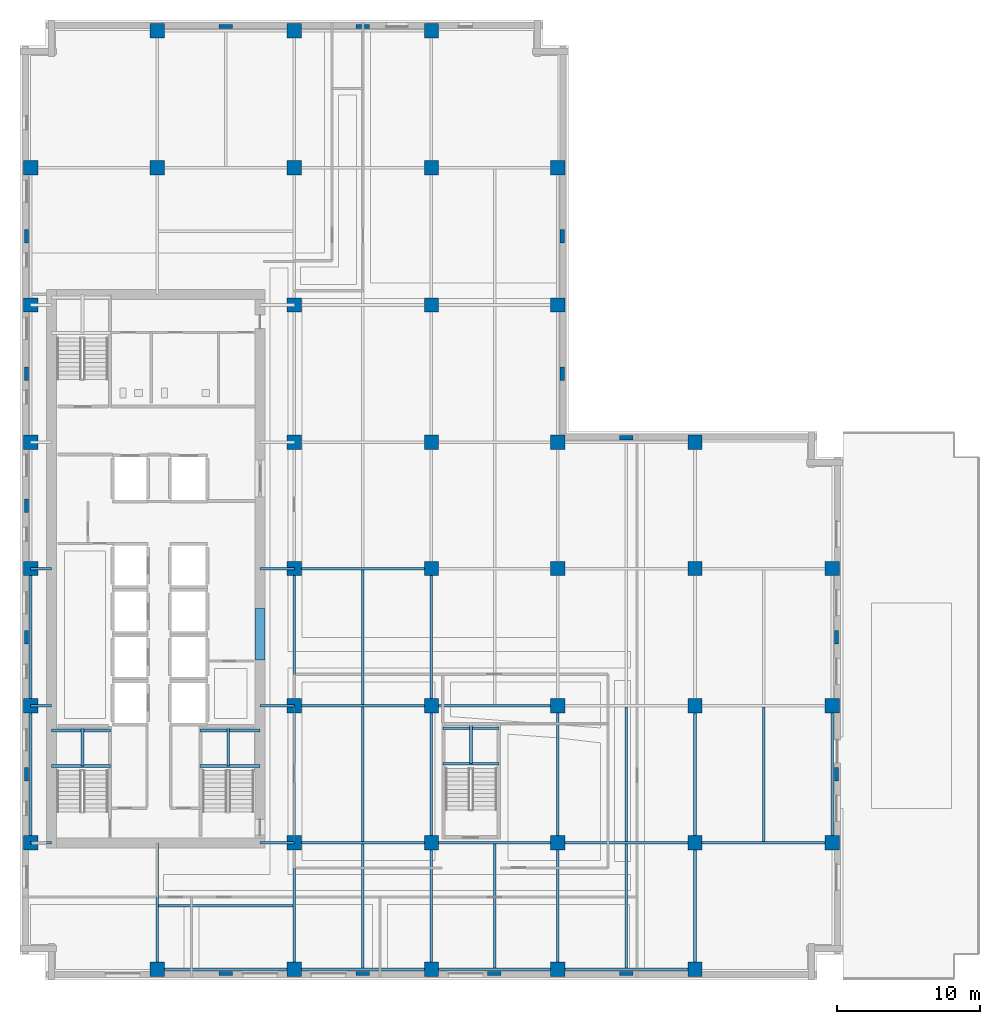
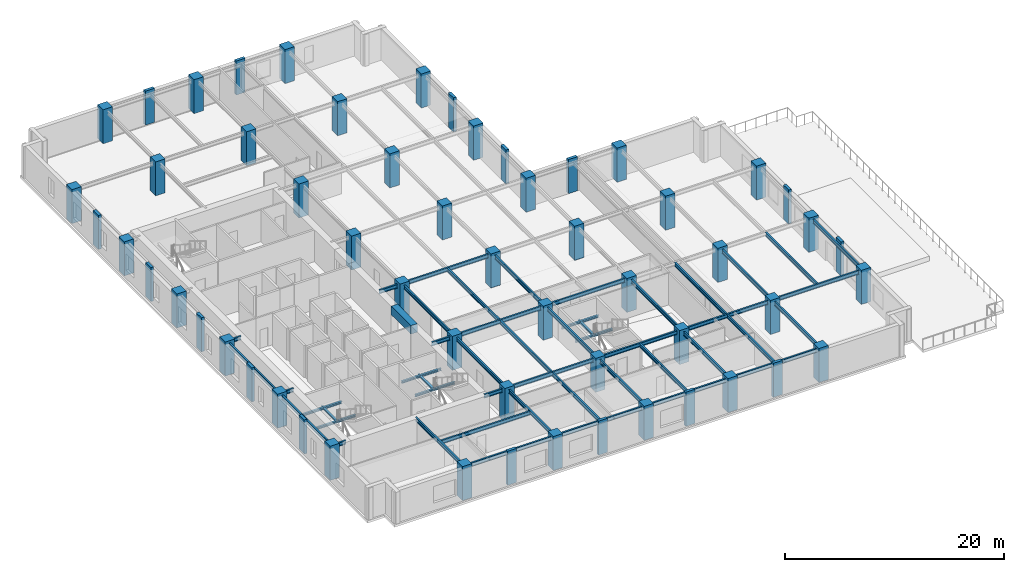
# One storey, part 1 of 12: 56 columns, 49 beams.
"""IFC4 building model written with IfcOpenShell, lengths in metres."""

from ifc_helpers import new_model, si_unit, direction, frame, origin, origin_2d, place, context, subcontext, project, spatial, rectangle, i_section, extrude, material, material_profile, profile_set, type_object, element, save


model = new_model("IFC4")

# Units and contexts
model_context = context("Model", 3, precision=1e-05, world=origin(), true_north=direction((0.0, 1.0)))
body_context = subcontext(model_context, "Body", "Model", "MODEL_VIEW")
ifc_project = project(units=[si_unit("LENGTHUNIT", "METRE"), si_unit("AREAUNIT", "SQUARE_METRE"), si_unit("VOLUMEUNIT", "CUBIC_METRE"), si_unit("PLANEANGLEUNIT", "RADIAN"), si_unit("MASSUNIT", "GRAM", prefix="KILO")], contexts=[model_context])

# Site, building, storey
site_placement = place(None, origin())
site = spatial("IfcSite", under=ifc_project, at=site_placement, CompositionType="ELEMENT")
building_placement = place(site_placement, origin())
building = spatial("IfcBuilding", under=site, at=building_placement, Name="Norrvale University Quadrangle", CompositionType="ELEMENT")
storey_placement = place(building_placement, frame((0.0, 0.0, 101.39990234375)))
storey = spatial("IfcBuildingStorey", under=building, at=storey_placement, Name="L25", CompositionType="ELEMENT", Elevation=101.39990234375)

# Columns
ifc_material_1 = material(Name="Red Manganese Brick Concrete C60/75", Category="concrete")
ifc_material_profile_1 = material_profile(ifc_material_1, rectangle(XDim=0.949951171875, YDim=0.300048828125, at=origin_2d()), Name="Red Manganese Brick Concrete C60/75")
ifc_profile_set_1 = profile_set([ifc_material_profile_1], Name="Red Manganese Brick Concrete C60/75")
column_type_1 = type_object("IfcColumnType", Name="Column Brick Pier 950x300", PredefinedType="PILASTER", material=ifc_profile_set_1)
for number, where, z_axis, x_axis, name in (
    (1, (0.449951171875, 14.39990234375, 0.0), (0.0, 0.0, 1.0), (0.0, 1.0, 0.0), "Exterior Brick Facade Pilaster L25-01"),
    (2, (0.449951171875, 24.0, 0.0), (0.0, 0.0, 1.0), (0.0, 1.0, 0.0), "Exterior Brick Facade Pilaster L25-02"),
    (3, (0.449951171875, 33.199951171875, 0.0), (0.0, 0.0, 1.0), (0.0, 1.0, 0.0), "Exterior Brick Facade Pilaster L25-03"),
    (4, (0.449951171875, 42.449951171875, 0.0), (0.0, 0.0, 1.0), (0.0, 1.0, 0.0), "Exterior Brick Facade Pilaster L25-04"),
    (5, (0.449951171875, 52.050048828125, 0.0), (0.0, 0.0, 1.0), (0.0, 1.0, 0.0), "Exterior Brick Facade Pilaster L25-05"),
    (6, (14.39990234375, 0.449951171875, 0.0), (0.0, 0.0, 1.0), (1.0, 0.0, 0.0), "Exterior Brick Facade Pilaster L25-06"),
    (7, (24.0, 0.449951171875, 0.0), (0.0, 0.0, 1.0), (1.0, 0.0, 0.0), "Exterior Brick Facade Pilaster L25-07"),
    (8, (33.199951171875, 0.449951171875, 0.0), (0.0, 0.0, 1.0), (1.0, 0.0, 0.0), "Exterior Brick Facade Pilaster L25-08"),
    (9, (42.449951171875, 0.449951171875, 0.0), (0.0, 0.0, 1.0), (1.0, 0.0, 0.0), "Exterior Brick Facade Pilaster L25-09"),
    (10, (57.14990234375, 14.39990234375, 0.0), (0.0, 0.0, 1.0), (0.0, 1.0, 0.0), "Exterior Brick Facade Pilaster L25-10"),
    (11, (57.14990234375, 24.0, 0.0), (0.0, 0.0, 1.0), (0.0, 1.0, 0.0), "Exterior Brick Facade Pilaster L25-11"),
    (12, (14.39990234375, 66.75, 0.0), (0.0, 0.0, 1.0), (1.0, 0.0, 0.0), "Exterior Brick Facade Pilaster L25-12"),
    (13, (24.0, 66.75, 0.0), (0.0, 0.0, 1.0), (1.0, 0.0, 0.0), "Exterior Brick Facade Pilaster L25-13"),
    (14, (37.949951171875, 42.449951171875, 0.0), (0.0, 0.0, 1.0), (0.0, 1.0, 0.0), "Exterior Brick Facade Pilaster L25-14"),
    (15, (37.949951171875, 52.050048828125, 0.0), (0.0, 0.0, 1.0), (0.0, 1.0, 0.0), "Exterior Brick Facade Pilaster L25-15"),
    (16, (42.449951171875, 37.949951171875, 0.0), (0.0, 0.0, 1.0), (1.0, 0.0, 0.0), "Exterior Brick Facade Pilaster L25-16"),
):
    element("IfcColumn", number, at=place(storey_placement, frame(where, z_axis=z_axis, x_axis=x_axis)), inside=storey, type_object=column_type_1, Name=name, PredefinedType="PILASTER", context=body_context, shape_type="SweptSolid", body=[
        extrude(rectangle(XDim=0.949951171875, YDim=0.300048828125, at=origin_2d()), origin(), (0.0, 0.0, 1.0), 3.800048828125),
    ])
ifc_material_2 = material(Name="Concrete C60/75", Category="concrete")
ifc_material_profile_2 = material_profile(ifc_material_2, rectangle(XDim=1.0, YDim=1.0, at=origin_2d()), Name="Concrete C60/75")
ifc_profile_set_2 = profile_set([ifc_material_profile_2], Name="Concrete C60/75")
column_type_2 = type_object("IfcColumnType", Name="Column Tower Z2 1000x1000", PredefinedType="COLUMN", material=ifc_profile_set_2)
for number, where, z_axis, x_axis, name in (
    (17, (0.75, 9.60009765625, 0.0), (0.0, 0.0, 1.0), (1.0, 0.0, 0.0), "Tower Column L25-T01"),
    (18, (0.75, 19.199951171875, 0.0), (0.0, 0.0, 1.0), (1.0, 0.0, 0.0), "Tower Column L25-T02"),
    (19, (0.75, 28.800048828125, 0.0), (0.0, 0.0, 1.0), (1.0, 0.0, 0.0), "Tower Column L25-T03"),
    (20, (0.75, 37.64990234375, 0.0), (0.0, 0.0, 1.0), (1.0, 0.0, 0.0), "Tower Column L25-T04"),
    (21, (0.75, 47.25, 0.0), (0.0, 0.0, 1.0), (1.0, 0.0, 0.0), "Tower Column L25-T05"),
    (22, (0.75, 56.85009765625, 0.0), (0.0, 0.0, 1.0), (1.0, 0.0, 0.0), "Tower Column L25-T06"),
    (23, (9.60009765625, 0.75, 0.0), (0.0, 0.0, 1.0), (1.0, 0.0, 0.0), "Tower Column L25-T07"),
    (24, (9.60009765625, 56.85009765625, 0.0), (0.0, 0.0, 1.0), (1.0, 0.0, 0.0), "Tower Column L25-T08"),
    (25, (9.60009765625, 66.449951171875, 0.0), (0.0, 0.0, 1.0), (1.0, 0.0, 0.0), "Tower Column L25-T09"),
    (26, (19.199951171875, 0.75, 0.0), (0.0, 0.0, 1.0), (1.0, 0.0, 0.0), "Tower Column L25-T10"),
    (27, (19.199951171875, 9.60009765625, 0.0), (0.0, 0.0, 1.0), (1.0, 0.0, 0.0), "Tower Column L25-T11"),
    (28, (19.199951171875, 19.199951171875, 0.0), (0.0, 0.0, 1.0), (1.0, 0.0, 0.0), "Tower Column L25-T12"),
    (29, (19.199951171875, 28.800048828125, 0.0), (0.0, 0.0, 1.0), (1.0, 0.0, 0.0), "Tower Column L25-T13"),
    (30, (19.199951171875, 37.64990234375, 0.0), (0.0, 0.0, 1.0), (1.0, 0.0, 0.0), "Tower Column L25-T14"),
    (31, (19.199951171875, 47.25, 0.0), (0.0, 0.0, 1.0), (1.0, 0.0, 0.0), "Tower Column L25-T15"),
    (32, (19.199951171875, 56.85009765625, 0.0), (0.0, 0.0, 1.0), (1.0, 0.0, 0.0), "Tower Column L25-T16"),
    (33, (19.199951171875, 66.449951171875, 0.0), (0.0, 0.0, 1.0), (1.0, 0.0, 0.0), "Tower Column L25-T17"),
    (34, (28.800048828125, 0.75, 0.0), (0.0, 0.0, 1.0), (1.0, 0.0, 0.0), "Tower Column L25-T18"),
    (35, (28.800048828125, 9.60009765625, 0.0), (0.0, 0.0, 1.0), (1.0, 0.0, 0.0), "Tower Column L25-T19"),
    (36, (28.800048828125, 19.199951171875, 0.0), (0.0, 0.0, 1.0), (1.0, 0.0, 0.0), "Tower Column L25-T20"),
    (37, (28.800048828125, 28.800048828125, 0.0), (0.0, 0.0, 1.0), (1.0, 0.0, 0.0), "Tower Column L25-T21"),
    (38, (28.800048828125, 37.64990234375, 0.0), (0.0, 0.0, 1.0), (1.0, 0.0, 0.0), "Tower Column L25-T22"),
    (39, (28.800048828125, 47.25, 0.0), (0.0, 0.0, 1.0), (1.0, 0.0, 0.0), "Tower Column L25-T23"),
    (40, (28.800048828125, 56.85009765625, 0.0), (0.0, 0.0, 1.0), (1.0, 0.0, 0.0), "Tower Column L25-T24"),
    (41, (28.800048828125, 66.449951171875, 0.0), (0.0, 0.0, 1.0), (1.0, 0.0, 0.0), "Tower Column L25-T25"),
    (42, (37.64990234375, 0.75, 0.0), (0.0, 0.0, 1.0), (1.0, 0.0, 0.0), "Tower Column L25-T26"),
    (43, (37.64990234375, 9.60009765625, 0.0), (0.0, 0.0, 1.0), (1.0, 0.0, 0.0), "Tower Column L25-T27"),
    (44, (37.64990234375, 19.199951171875, 0.0), (0.0, 0.0, 1.0), (1.0, 0.0, 0.0), "Tower Column L25-T28"),
    (45, (37.64990234375, 28.800048828125, 0.0), (0.0, 0.0, 1.0), (1.0, 0.0, 0.0), "Tower Column L25-T29"),
    (46, (37.64990234375, 37.64990234375, 0.0), (0.0, 0.0, 1.0), (1.0, 0.0, 0.0), "Tower Column L25-T30"),
    (47, (37.64990234375, 47.25, 0.0), (0.0, 0.0, 1.0), (1.0, 0.0, 0.0), "Tower Column L25-T31"),
    (48, (37.64990234375, 56.85009765625, 0.0), (0.0, 0.0, 1.0), (1.0, 0.0, 0.0), "Tower Column L25-T32"),
    (49, (47.25, 0.75, 0.0), (0.0, 0.0, 1.0), (1.0, 0.0, 0.0), "Tower Column L25-T33"),
    (50, (47.25, 9.60009765625, 0.0), (0.0, 0.0, 1.0), (1.0, 0.0, 0.0), "Tower Column L25-T34"),
    (51, (47.25, 19.199951171875, 0.0), (0.0, 0.0, 1.0), (1.0, 0.0, 0.0), "Tower Column L25-T35"),
    (52, (47.25, 28.800048828125, 0.0), (0.0, 0.0, 1.0), (1.0, 0.0, 0.0), "Tower Column L25-T36"),
    (53, (47.25, 37.64990234375, 0.0), (0.0, 0.0, 1.0), (1.0, 0.0, 0.0), "Tower Column L25-T37"),
    (54, (56.85009765625, 9.60009765625, 0.0), (0.0, 0.0, 1.0), (1.0, 0.0, 0.0), "Tower Column L25-T38"),
    (55, (56.85009765625, 19.199951171875, 0.0), (0.0, 0.0, 1.0), (1.0, 0.0, 0.0), "Tower Column L25-T39"),
    (56, (56.85009765625, 28.800048828125, 0.0), (0.0, 0.0, 1.0), (1.0, 0.0, 0.0), "Tower Column L25-T40"),
):
    element("IfcColumn", number, at=place(storey_placement, frame(where, z_axis=z_axis, x_axis=x_axis)), inside=storey, type_object=column_type_2, Name=name, PredefinedType="COLUMN", context=body_context, shape_type="SweptSolid", body=[
        extrude(rectangle(XDim=1.0, YDim=1.0, at=origin_2d()), origin(), (0.0, 0.0, 1.0), 3.800048828125),
    ])

# Beams
ifc_material_3 = material(Name="Steel 350W", Category="steel")
ifc_material_profile_3 = material_profile(ifc_material_3, i_section(OverallWidth=0.180908203125, OverallDepth=0.4169921875, WebThickness=0.010986328125, FlangeThickness=0.018310546875, FilletRadius=0.011962890625, at=origin_2d()), Name="Steel 350W")
ifc_profile_set_3 = profile_set([ifc_material_profile_3], Name="Steel 350W")
beam_type_1 = type_object("IfcBeamType", Name="Beam Atrium W410x85", PredefinedType="BEAM", material=ifc_profile_set_3)
beam_1_placement = place(storey_placement, frame((9.60009765625, 0.75, 3.33154296875), z_axis=(1.0, 0.0, 0.0), x_axis=(0.0, 1.0, 0.0)))
element("IfcBeam", 57, at=beam_1_placement, inside=storey, type_object=beam_type_1, Name="Beam Atrium W410x85 BM-L25-GX001", PredefinedType="BEAM", context=body_context, shape_type="SweptSolid", body=[
    extrude(i_section(OverallWidth=0.180908203125, OverallDepth=0.4169921875, WebThickness=0.010986328125, FlangeThickness=0.018310546875, FilletRadius=0.011962890625, at=origin_2d()), origin(), (0.0, 0.0, 1.0), 9.599853515625),
])
beam_2_placement = place(storey_placement, frame((19.199951171875, 0.75, 3.33154296875), z_axis=(1.0, 0.0, 0.0), x_axis=(0.0, 1.0, 0.0)))
element("IfcBeam", 58, at=beam_2_placement, inside=storey, type_object=beam_type_1, Name="Beam Atrium W410x85 BM-L25-GX002", PredefinedType="BEAM", context=body_context, shape_type="SweptSolid", body=[
    extrude(i_section(OverallWidth=0.180908203125, OverallDepth=0.4169921875, WebThickness=0.010986328125, FlangeThickness=0.018310546875, FilletRadius=0.011962890625, at=origin_2d()), origin(), (0.0, 0.0, 1.0), 9.60009765625),
])
beam_3_placement = place(storey_placement, frame((28.800048828125, 0.75, 3.33154296875), z_axis=(1.0, 0.0, 0.0), x_axis=(0.0, 1.0, 0.0)))
element("IfcBeam", 59, at=beam_3_placement, inside=storey, type_object=beam_type_1, Name="Beam Atrium W410x85 BM-L25-GX003", PredefinedType="BEAM", context=body_context, shape_type="SweptSolid", body=[
    extrude(i_section(OverallWidth=0.180908203125, OverallDepth=0.4169921875, WebThickness=0.010986328125, FlangeThickness=0.018310546875, FilletRadius=0.011962890625, at=origin_2d()), origin(), (0.0, 0.0, 1.0), 8.849853515625),
])
for number, where, z_axis, x_axis, name in (
    (60, (37.64990234375, 0.75, 3.33154296875), (1.0, 0.0, 0.0), (0.0, 1.0, 0.0), "Beam Atrium W410x85 BM-L25-GX004"),
    (61, (19.199951171875, 9.60009765625, 3.33154296875), (1.0, 0.0, 0.0), (0.0, 1.0, 0.0), "Beam Atrium W410x85 BM-L25-GX005"),
):
    element("IfcBeam", number, at=place(storey_placement, frame(where, z_axis=z_axis, x_axis=x_axis)), inside=storey, type_object=beam_type_1, Name=name, PredefinedType="BEAM", context=body_context, shape_type="SweptSolid", body=[
        extrude(i_section(OverallWidth=0.180908203125, OverallDepth=0.4169921875, WebThickness=0.010986328125, FlangeThickness=0.018310546875, FilletRadius=0.011962890625, at=origin_2d()), origin(), (0.0, 0.0, 1.0), 9.60009765625),
    ])
beam_4_placement = place(storey_placement, frame((28.800048828125, 9.60009765625, 3.33154296875), z_axis=(1.0, 0.0, 0.0), x_axis=(0.0, 1.0, 0.0)))
element("IfcBeam", 62, at=beam_4_placement, inside=storey, type_object=beam_type_1, Name="Beam Atrium W410x85 BM-L25-GX006", PredefinedType="BEAM", context=body_context, shape_type="SweptSolid", body=[
    extrude(i_section(OverallWidth=0.180908203125, OverallDepth=0.4169921875, WebThickness=0.010986328125, FlangeThickness=0.018310546875, FilletRadius=0.011962890625, at=origin_2d()), origin(), (0.0, 0.0, 1.0), 8.849853515625),
])
for number, where, z_axis, x_axis, name in (
    (63, (37.64990234375, 9.60009765625, 3.33154296875), (1.0, 0.0, 0.0), (0.0, 1.0, 0.0), "Beam Atrium W410x85 BM-L25-GX007"),
    (64, (47.25, 9.60009765625, 3.33154296875), (1.0, 0.0, 0.0), (0.0, 1.0, 0.0), "Beam Atrium W410x85 BM-L25-GX008"),
    (65, (19.199951171875, 19.199951171875, 3.33154296875), (1.0, 0.0, 0.0), (0.0, 1.0, 0.0), "Beam Atrium W410x85 BM-L25-GX009"),
):
    element("IfcBeam", number, at=place(storey_placement, frame(where, z_axis=z_axis, x_axis=x_axis)), inside=storey, type_object=beam_type_1, Name=name, PredefinedType="BEAM", context=body_context, shape_type="SweptSolid", body=[
        extrude(i_section(OverallWidth=0.180908203125, OverallDepth=0.4169921875, WebThickness=0.010986328125, FlangeThickness=0.018310546875, FilletRadius=0.011962890625, at=origin_2d()), origin(), (0.0, 0.0, 1.0), 9.60009765625),
    ])
beam_5_placement = place(storey_placement, frame((28.800048828125, 19.199951171875, 3.33154296875), z_axis=(1.0, 0.0, 0.0), x_axis=(0.0, 1.0, 0.0)))
element("IfcBeam", 66, at=beam_5_placement, inside=storey, type_object=beam_type_1, Name="Beam Atrium W410x85 BM-L25-GX010", PredefinedType="BEAM", context=body_context, shape_type="SweptSolid", body=[
    extrude(i_section(OverallWidth=0.180908203125, OverallDepth=0.4169921875, WebThickness=0.010986328125, FlangeThickness=0.018310546875, FilletRadius=0.011962890625, at=origin_2d()), origin(), (0.0, 0.0, 1.0), 8.849853515625),
])
beam_6_placement = place(storey_placement, frame((19.199951171875, 28.800048828125, 3.33154296875), z_axis=(1.0, 0.0, 0.0), x_axis=(0.0, 1.0, 0.0)))
element("IfcBeam", 67, at=beam_6_placement, inside=storey, type_object=beam_type_1, Name="Beam Atrium W410x85 BM-L25-GX013", PredefinedType="BEAM", context=body_context, shape_type="SweptSolid", body=[
    extrude(i_section(OverallWidth=0.180908203125, OverallDepth=0.4169921875, WebThickness=0.010986328125, FlangeThickness=0.018310546875, FilletRadius=0.011962890625, at=origin_2d()), origin(), (0.0, 0.0, 1.0), 9.60009765625),
])
beam_7_placement = place(storey_placement, frame((0.75, 9.60009765625, 3.33154296875), z_axis=(0.0, 1.0, 0.0), x_axis=(-1.0, 0.0, 0.0)))
element("IfcBeam", 68, at=beam_7_placement, inside=storey, type_object=beam_type_1, Name="Beam Atrium W410x85 BM-L25-GY028", PredefinedType="BEAM", context=body_context, shape_type="SweptSolid", body=[
    extrude(i_section(OverallWidth=0.180908203125, OverallDepth=0.4169921875, WebThickness=0.010986328125, FlangeThickness=0.018310546875, FilletRadius=0.011962890625, at=origin_2d()), origin(), (0.0, 0.0, 1.0), 9.599853515625),
])
beam_8_placement = place(storey_placement, frame((0.75, 19.199951171875, 3.33154296875), z_axis=(0.0, 1.0, 0.0), x_axis=(-1.0, 0.0, 0.0)))
element("IfcBeam", 69, at=beam_8_placement, inside=storey, type_object=beam_type_1, Name="Beam Atrium W410x85 BM-L25-GY029", PredefinedType="BEAM", context=body_context, shape_type="SweptSolid", body=[
    extrude(i_section(OverallWidth=0.180908203125, OverallDepth=0.4169921875, WebThickness=0.010986328125, FlangeThickness=0.018310546875, FilletRadius=0.011962890625, at=origin_2d()), origin(), (0.0, 0.0, 1.0), 9.60009765625),
])
beam_9_placement = place(storey_placement, frame((19.199951171875, 0.75, 3.33154296875), z_axis=(0.0, 1.0, 0.0), x_axis=(-1.0, 0.0, 0.0)))
element("IfcBeam", 70, at=beam_9_placement, inside=storey, type_object=beam_type_1, Name="Beam Atrium W410x85 BM-L25-GY034", PredefinedType="BEAM", context=body_context, shape_type="SweptSolid", body=[
    extrude(i_section(OverallWidth=0.180908203125, OverallDepth=0.4169921875, WebThickness=0.010986328125, FlangeThickness=0.018310546875, FilletRadius=0.011962890625, at=origin_2d()), origin(), (0.0, 0.0, 1.0), 8.85009765625),
])
beam_10_placement = place(storey_placement, frame((19.199951171875, 9.60009765625, 3.33154296875), z_axis=(0.0, 1.0, 0.0), x_axis=(-1.0, 0.0, 0.0)))
element("IfcBeam", 71, at=beam_10_placement, inside=storey, type_object=beam_type_1, Name="Beam Atrium W410x85 BM-L25-GY035", PredefinedType="BEAM", context=body_context, shape_type="SweptSolid", body=[
    extrude(i_section(OverallWidth=0.180908203125, OverallDepth=0.4169921875, WebThickness=0.010986328125, FlangeThickness=0.018310546875, FilletRadius=0.011962890625, at=origin_2d()), origin(), (0.0, 0.0, 1.0), 9.599853515625),
])
beam_11_placement = place(storey_placement, frame((19.199951171875, 19.199951171875, 3.33154296875), z_axis=(0.0, 1.0, 0.0), x_axis=(-1.0, 0.0, 0.0)))
element("IfcBeam", 72, at=beam_11_placement, inside=storey, type_object=beam_type_1, Name="Beam Atrium W410x85 BM-L25-GY036", PredefinedType="BEAM", context=body_context, shape_type="SweptSolid", body=[
    extrude(i_section(OverallWidth=0.180908203125, OverallDepth=0.4169921875, WebThickness=0.010986328125, FlangeThickness=0.018310546875, FilletRadius=0.011962890625, at=origin_2d()), origin(), (0.0, 0.0, 1.0), 9.60009765625),
])
beam_12_placement = place(storey_placement, frame((28.800048828125, 0.75, 3.33154296875), z_axis=(0.0, 1.0, 0.0), x_axis=(-1.0, 0.0, 0.0)))
element("IfcBeam", 73, at=beam_12_placement, inside=storey, type_object=beam_type_1, Name="Beam Atrium W410x85 BM-L25-GY041", PredefinedType="BEAM", context=body_context, shape_type="SweptSolid", body=[
    extrude(i_section(OverallWidth=0.180908203125, OverallDepth=0.4169921875, WebThickness=0.010986328125, FlangeThickness=0.018310546875, FilletRadius=0.011962890625, at=origin_2d()), origin(), (0.0, 0.0, 1.0), 8.85009765625),
])
beam_13_placement = place(storey_placement, frame((28.800048828125, 9.60009765625, 3.33154296875), z_axis=(0.0, 1.0, 0.0), x_axis=(-1.0, 0.0, 0.0)))
element("IfcBeam", 74, at=beam_13_placement, inside=storey, type_object=beam_type_1, Name="Beam Atrium W410x85 BM-L25-GY042", PredefinedType="BEAM", context=body_context, shape_type="SweptSolid", body=[
    extrude(i_section(OverallWidth=0.180908203125, OverallDepth=0.4169921875, WebThickness=0.010986328125, FlangeThickness=0.018310546875, FilletRadius=0.011962890625, at=origin_2d()), origin(), (0.0, 0.0, 1.0), 9.599853515625),
])
beam_14_placement = place(storey_placement, frame((28.800048828125, 19.199951171875, 3.33154296875), z_axis=(0.0, 1.0, 0.0), x_axis=(-1.0, 0.0, 0.0)))
element("IfcBeam", 75, at=beam_14_placement, inside=storey, type_object=beam_type_1, Name="Beam Atrium W410x85 BM-L25-GY043", PredefinedType="BEAM", context=body_context, shape_type="SweptSolid", body=[
    extrude(i_section(OverallWidth=0.180908203125, OverallDepth=0.4169921875, WebThickness=0.010986328125, FlangeThickness=0.018310546875, FilletRadius=0.011962890625, at=origin_2d()), origin(), (0.0, 0.0, 1.0), 9.60009765625),
])
beam_15_placement = place(storey_placement, frame((37.64990234375, 0.75, 3.33154296875), z_axis=(0.0, 1.0, 0.0), x_axis=(-1.0, 0.0, 0.0)))
element("IfcBeam", 76, at=beam_15_placement, inside=storey, type_object=beam_type_1, Name="Beam Atrium W410x85 BM-L25-GY048", PredefinedType="BEAM", context=body_context, shape_type="SweptSolid", body=[
    extrude(i_section(OverallWidth=0.180908203125, OverallDepth=0.4169921875, WebThickness=0.010986328125, FlangeThickness=0.018310546875, FilletRadius=0.011962890625, at=origin_2d()), origin(), (0.0, 0.0, 1.0), 8.85009765625),
])
beam_16_placement = place(storey_placement, frame((37.64990234375, 9.60009765625, 3.33154296875), z_axis=(0.0, 1.0, 0.0), x_axis=(-1.0, 0.0, 0.0)))
element("IfcBeam", 77, at=beam_16_placement, inside=storey, type_object=beam_type_1, Name="Beam Atrium W410x85 BM-L25-GY049", PredefinedType="BEAM", context=body_context, shape_type="SweptSolid", body=[
    extrude(i_section(OverallWidth=0.180908203125, OverallDepth=0.4169921875, WebThickness=0.010986328125, FlangeThickness=0.018310546875, FilletRadius=0.011962890625, at=origin_2d()), origin(), (0.0, 0.0, 1.0), 9.599853515625),
])
beam_17_placement = place(storey_placement, frame((47.25, 0.75, 3.33154296875), z_axis=(0.0, 1.0, 0.0), x_axis=(-1.0, 0.0, 0.0)))
element("IfcBeam", 78, at=beam_17_placement, inside=storey, type_object=beam_type_1, Name="Beam Atrium W410x85 BM-L25-GY054", PredefinedType="BEAM", context=body_context, shape_type="SweptSolid", body=[
    extrude(i_section(OverallWidth=0.180908203125, OverallDepth=0.4169921875, WebThickness=0.010986328125, FlangeThickness=0.018310546875, FilletRadius=0.011962890625, at=origin_2d()), origin(), (0.0, 0.0, 1.0), 8.85009765625),
])
for number, where, z_axis, x_axis, name in (
    (79, (47.25, 9.60009765625, 3.33154296875), (0.0, 1.0, 0.0), (-1.0, 0.0, 0.0), "Beam Atrium W410x85 BM-L25-GY055"),
    (80, (56.85009765625, 9.60009765625, 3.33154296875), (0.0, 1.0, 0.0), (-1.0, 0.0, 0.0), "Beam Atrium W410x85 BM-L25-GY058"),
):
    element("IfcBeam", number, at=place(storey_placement, frame(where, z_axis=z_axis, x_axis=x_axis)), inside=storey, type_object=beam_type_1, Name=name, PredefinedType="BEAM", context=body_context, shape_type="SweptSolid", body=[
        extrude(i_section(OverallWidth=0.180908203125, OverallDepth=0.4169921875, WebThickness=0.010986328125, FlangeThickness=0.018310546875, FilletRadius=0.011962890625, at=origin_2d()), origin(), (0.0, 0.0, 1.0), 9.599853515625),
    ])
beam_18_placement = place(storey_placement, frame((0.75, 9.60009765625, 3.33154296875), z_axis=(1.0, 0.0, 0.0), x_axis=(0.0, 1.0, 0.0)))
element("IfcBeam", 81, at=beam_18_placement, inside=storey, type_object=beam_type_1, Name="Beam Atrium W410x85 BM-L25-GCW060", PredefinedType="BEAM", context=body_context, shape_type="SweptSolid", body=[
    extrude(i_section(OverallWidth=0.180908203125, OverallDepth=0.4169921875, WebThickness=0.010986328125, FlangeThickness=0.018310546875, FilletRadius=0.011962890625, at=origin_2d()), origin(), (0.0, 0.0, 1.0), 1.449951171875),
])
beam_19_placement = place(storey_placement, frame((16.800048828125, 9.60009765625, 3.33154296875), z_axis=(1.0, 0.0, 0.0), x_axis=(0.0, 1.0, 0.0)))
element("IfcBeam", 82, at=beam_19_placement, inside=storey, type_object=beam_type_1, Name="Beam Atrium W410x85 BM-L25-GCE061", PredefinedType="BEAM", context=body_context, shape_type="SweptSolid", body=[
    extrude(i_section(OverallWidth=0.180908203125, OverallDepth=0.4169921875, WebThickness=0.010986328125, FlangeThickness=0.018310546875, FilletRadius=0.011962890625, at=origin_2d()), origin(), (0.0, 0.0, 1.0), 2.39990234375),
])
beam_20_placement = place(storey_placement, frame((0.75, 19.199951171875, 3.33154296875), z_axis=(1.0, 0.0, 0.0), x_axis=(0.0, 1.0, 0.0)))
element("IfcBeam", 83, at=beam_20_placement, inside=storey, type_object=beam_type_1, Name="Beam Atrium W410x85 BM-L25-GCW062", PredefinedType="BEAM", context=body_context, shape_type="SweptSolid", body=[
    extrude(i_section(OverallWidth=0.180908203125, OverallDepth=0.4169921875, WebThickness=0.010986328125, FlangeThickness=0.018310546875, FilletRadius=0.011962890625, at=origin_2d()), origin(), (0.0, 0.0, 1.0), 1.449951171875),
])
beam_21_placement = place(storey_placement, frame((16.800048828125, 19.199951171875, 3.33154296875), z_axis=(1.0, 0.0, 0.0), x_axis=(0.0, 1.0, 0.0)))
element("IfcBeam", 84, at=beam_21_placement, inside=storey, type_object=beam_type_1, Name="Beam Atrium W410x85 BM-L25-GCE063", PredefinedType="BEAM", context=body_context, shape_type="SweptSolid", body=[
    extrude(i_section(OverallWidth=0.180908203125, OverallDepth=0.4169921875, WebThickness=0.010986328125, FlangeThickness=0.018310546875, FilletRadius=0.011962890625, at=origin_2d()), origin(), (0.0, 0.0, 1.0), 2.39990234375),
])
beam_22_placement = place(storey_placement, frame((0.75, 28.800048828125, 3.33154296875), z_axis=(1.0, 0.0, 0.0), x_axis=(0.0, 1.0, 0.0)))
element("IfcBeam", 85, at=beam_22_placement, inside=storey, type_object=beam_type_1, Name="Beam Atrium W410x85 BM-L25-GCW064", PredefinedType="BEAM", context=body_context, shape_type="SweptSolid", body=[
    extrude(i_section(OverallWidth=0.180908203125, OverallDepth=0.4169921875, WebThickness=0.010986328125, FlangeThickness=0.018310546875, FilletRadius=0.011962890625, at=origin_2d()), origin(), (0.0, 0.0, 1.0), 1.449951171875),
])
beam_23_placement = place(storey_placement, frame((16.800048828125, 28.800048828125, 3.33154296875), z_axis=(1.0, 0.0, 0.0), x_axis=(0.0, 1.0, 0.0)))
element("IfcBeam", 86, at=beam_23_placement, inside=storey, type_object=beam_type_1, Name="Beam Atrium W410x85 BM-L25-GCE065", PredefinedType="BEAM", context=body_context, shape_type="SweptSolid", body=[
    extrude(i_section(OverallWidth=0.180908203125, OverallDepth=0.4169921875, WebThickness=0.010986328125, FlangeThickness=0.018310546875, FilletRadius=0.011962890625, at=origin_2d()), origin(), (0.0, 0.0, 1.0), 2.39990234375),
])
beam_24_placement = place(storey_placement, frame((9.60009765625, 0.75, 3.33154296875), z_axis=(0.0, 1.0, 0.0), x_axis=(-1.0, 0.0, 0.0)))
element("IfcBeam", 87, at=beam_24_placement, inside=storey, type_object=beam_type_1, Name="Beam Atrium W410x85 BM-L25-GCS089", PredefinedType="BEAM", context=body_context, shape_type="SweptSolid", body=[
    extrude(i_section(OverallWidth=0.180908203125, OverallDepth=0.4169921875, WebThickness=0.010986328125, FlangeThickness=0.018310546875, FilletRadius=0.011962890625, at=origin_2d()), origin(), (0.0, 0.0, 1.0), 8.85009765625),
])
ifc_material_4 = material(Name="Concrete C80/95", Category="concrete")
ifc_material_profile_4 = material_profile(ifc_material_4, rectangle(XDim=0.699951171875, YDim=0.949951171875, at=origin_2d()), Name="Concrete C80/95")
ifc_profile_set_4 = profile_set([ifc_material_profile_4], Name="Concrete C80/95")
beam_type_2 = type_object("IfcBeamType", Name="Beam Core Link 700x950", PredefinedType="LINTEL", material=ifc_profile_set_4)
beam_25_placement = place(storey_placement, frame((16.800048828125, 22.39990234375, 3.065185546875), z_axis=(0.0, 1.0, 0.0), x_axis=(-1.0, 0.0, 0.0)))
element("IfcBeam", 88, at=beam_25_placement, inside=storey, type_object=beam_type_2, Name="Core Coupling Lintel Beam L25-1", PredefinedType="LINTEL", context=body_context, shape_type="SweptSolid", body=[
    extrude(rectangle(XDim=0.699951171875, YDim=0.949951171875, at=origin_2d()), origin(), (0.0, 0.0, 1.0), 3.60009765625),
])
ifc_material_profile_5 = material_profile(ifc_material_3, i_section(OverallWidth=0.177978515625, OverallDepth=0.406982421875, WebThickness=0.0078125, FlangeThickness=0.0126953125, FilletRadius=0.011962890625, at=origin_2d()), Name="Steel 350W")
ifc_profile_set_5 = profile_set([ifc_material_profile_5], Name="Steel 350W")
beam_type_3 = type_object("IfcBeamType", Name="Beam Roof Purlin W410x60", PredefinedType="USERDEFINED", material=ifc_profile_set_5)
beam_26_placement = place(storey_placement, frame((24.0, 0.840576171875, 3.336669921875), z_axis=(0.0, 1.0, 0.0), x_axis=(-1.0, 0.0, 0.0)))
element("IfcBeam", 89, at=beam_26_placement, inside=storey, type_object=beam_type_3, Name="Beam Roof Purlin W410x60 BM-L25-J071", ObjectType="PURLIN", PredefinedType="USERDEFINED", context=body_context, shape_type="SweptSolid", body=[
    extrude(i_section(OverallWidth=0.177978515625, OverallDepth=0.406982421875, WebThickness=0.0078125, FlangeThickness=0.0126953125, FilletRadius=0.011962890625, at=origin_2d()), origin(), (0.0, 0.0, 1.0), 8.6689453125),
])
beam_27_placement = place(storey_placement, frame((24.0, 9.6904296875, 3.336669921875), z_axis=(0.0, 1.0, 0.0), x_axis=(-1.0, 0.0, 0.0)))
element("IfcBeam", 90, at=beam_27_placement, inside=storey, type_object=beam_type_3, Name="Beam Roof Purlin W410x60 BM-L25-J072", ObjectType="PURLIN", PredefinedType="USERDEFINED", context=body_context, shape_type="SweptSolid", body=[
    extrude(i_section(OverallWidth=0.177978515625, OverallDepth=0.406982421875, WebThickness=0.0078125, FlangeThickness=0.0126953125, FilletRadius=0.011962890625, at=origin_2d()), origin(), (0.0, 0.0, 1.0), 9.419189453125),
])
beam_28_placement = place(storey_placement, frame((24.0, 19.29052734375, 3.336669921875), z_axis=(0.0, 1.0, 0.0), x_axis=(-1.0, 0.0, 0.0)))
element("IfcBeam", 91, at=beam_28_placement, inside=storey, type_object=beam_type_3, Name="Beam Roof Purlin W410x60 BM-L25-J073", ObjectType="PURLIN", PredefinedType="USERDEFINED", context=body_context, shape_type="SweptSolid", body=[
    extrude(i_section(OverallWidth=0.177978515625, OverallDepth=0.406982421875, WebThickness=0.0078125, FlangeThickness=0.0126953125, FilletRadius=0.011962890625, at=origin_2d()), origin(), (0.0, 0.0, 1.0), 9.4189453125),
])
for number, where, z_axis, x_axis, name in (
    (92, (33.22509765625, 0.840576171875, 3.336669921875), (0.0, 1.0, 0.0), (-1.0, 0.0, 0.0), "Beam Roof Purlin W410x60 BM-L25-J078"),
    (93, (42.449951171875, 0.840576171875, 3.336669921875), (0.0, 1.0, 0.0), (-1.0, 0.0, 0.0), "Beam Roof Purlin W410x60 BM-L25-J083"),
):
    element("IfcBeam", number, at=place(storey_placement, frame(where, z_axis=z_axis, x_axis=x_axis)), inside=storey, type_object=beam_type_3, Name=name, ObjectType="PURLIN", PredefinedType="USERDEFINED", context=body_context, shape_type="SweptSolid", body=[
        extrude(i_section(OverallWidth=0.177978515625, OverallDepth=0.406982421875, WebThickness=0.0078125, FlangeThickness=0.0126953125, FilletRadius=0.011962890625, at=origin_2d()), origin(), (0.0, 0.0, 1.0), 8.6689453125),
    ])
for number, where, z_axis, x_axis, name in (
    (94, (42.449951171875, 9.6904296875, 3.336669921875), (0.0, 1.0, 0.0), (-1.0, 0.0, 0.0), "Beam Roof Purlin W410x60 BM-L25-J084"),
    (95, (52.050048828125, 9.6904296875, 3.336669921875), (0.0, 1.0, 0.0), (-1.0, 0.0, 0.0), "Beam Roof Purlin W410x60 BM-L25-J087"),
    (96, (9.6904296875, 5.199951171875, 3.336669921875), (1.0, 0.0, 0.0), (0.0, 1.0, 0.0), "Beam Roof Purlin W410x60 BM-L25-JCS090"),
):
    element("IfcBeam", number, at=place(storey_placement, frame(where, z_axis=z_axis, x_axis=x_axis)), inside=storey, type_object=beam_type_3, Name=name, ObjectType="PURLIN", PredefinedType="USERDEFINED", context=body_context, shape_type="SweptSolid", body=[
        extrude(i_section(OverallWidth=0.177978515625, OverallDepth=0.406982421875, WebThickness=0.0078125, FlangeThickness=0.0126953125, FilletRadius=0.011962890625, at=origin_2d()), origin(), (0.0, 0.0, 1.0), 9.419189453125),
    ])
ifc_material_profile_6 = material_profile(ifc_material_3, i_section(OverallWidth=0.201904296875, OverallDepth=0.2470703125, WebThickness=0.00732421875, FlangeThickness=0.010986328125, FilletRadius=0.011962890625, at=origin_2d()), Name="Steel 350W")
ifc_profile_set_6 = profile_set([ifc_material_profile_6], Name="Steel 350W")
beam_type_4 = type_object("IfcBeamType", Name="Beam Stair W250x49", PredefinedType="BEAM", material=ifc_profile_set_6)
for number, where, z_axis, x_axis, name in (
    (97, (2.199951171875, 14.989990234375, 1.57666015625), (1.0, 0.0, 0.0), (0.0, 1.0, 0.0), "Stair Mid-Landing Front Beam ST-01 L25"),
    (98, (2.199951171875, 17.469970703125, 1.57666015625), (1.0, 0.0, 0.0), (0.0, 1.0, 0.0), "Stair Mid-Landing Rear Beam ST-01 L25"),
):
    element("IfcBeam", number, at=place(storey_placement, frame(where, z_axis=z_axis, x_axis=x_axis)), inside=storey, type_object=beam_type_4, Name=name, PredefinedType="BEAM", context=body_context, shape_type="SweptSolid", body=[
        extrude(i_section(OverallWidth=0.201904296875, OverallDepth=0.2470703125, WebThickness=0.00732421875, FlangeThickness=0.010986328125, FilletRadius=0.011962890625, at=origin_2d()), origin(), (0.0, 0.0, 1.0), 4.14013671875),
    ])
for number, where, z_axis, x_axis, name in (
    (99, (12.610107421875, 14.989990234375, 1.57666015625), (1.0, 0.0, 0.0), (0.0, 1.0, 0.0), "Stair Mid-Landing Front Beam ST-03 L25"),
    (100, (12.610107421875, 17.469970703125, 1.57666015625), (1.0, 0.0, 0.0), (0.0, 1.0, 0.0), "Stair Mid-Landing Rear Beam ST-03 L25"),
):
    element("IfcBeam", number, at=place(storey_placement, frame(where, z_axis=z_axis, x_axis=x_axis)), inside=storey, type_object=beam_type_4, Name=name, PredefinedType="BEAM", context=body_context, shape_type="SweptSolid", body=[
        extrude(i_section(OverallWidth=0.201904296875, OverallDepth=0.2470703125, WebThickness=0.00732421875, FlangeThickness=0.010986328125, FilletRadius=0.011962890625, at=origin_2d()), origin(), (0.0, 0.0, 1.0), 4.18994140625),
    ])
for number, where, z_axis, x_axis, name in (
    (101, (29.610107421875, 15.139892578125, 1.57666015625), (1.0, 0.0, 0.0), (0.0, 1.0, 0.0), "Stair Mid-Landing Front Beam ST-04 L25"),
    (102, (29.610107421875, 17.6201171875, 1.57666015625), (1.0, 0.0, 0.0), (0.0, 1.0, 0.0), "Stair Mid-Landing Rear Beam ST-04 L25"),
):
    element("IfcBeam", number, at=place(storey_placement, frame(where, z_axis=z_axis, x_axis=x_axis)), inside=storey, type_object=beam_type_4, Name=name, PredefinedType="BEAM", context=body_context, shape_type="SweptSolid", body=[
        extrude(i_section(OverallWidth=0.201904296875, OverallDepth=0.2470703125, WebThickness=0.00732421875, FlangeThickness=0.010986328125, FilletRadius=0.011962890625, at=origin_2d()), origin(), (0.0, 0.0, 1.0), 3.929931640625),
    ])
ifc_material_profile_7 = material_profile(ifc_material_3, i_section(OverallWidth=0.202880859375, OverallDepth=0.202880859375, WebThickness=0.007080078125, FlangeThickness=0.010986328125, FilletRadius=0.010009765625, at=origin_2d()), Name="Steel 350W")
ifc_profile_set_7 = profile_set([ifc_material_profile_7], Name="Steel 350W")
beam_type_5 = type_object("IfcBeamType", Name="Beam Trim W200x46", PredefinedType="BEAM", material=ifc_profile_set_7)
for number, where, z_axis, x_axis, name in (
    (103, (4.375, 14.989990234375, 1.5986328125), (0.0, 1.0, 0.0), (-1.0, 0.0, 0.0), "Stair Mid-Landing Cross Beam ST-01 L25"),
    (104, (14.574951171875, 14.989990234375, 1.5986328125), (0.0, 1.0, 0.0), (-1.0, 0.0, 0.0), "Stair Mid-Landing Cross Beam ST-03 L25"),
    (105, (31.574951171875, 15.139892578125, 1.5986328125), (0.0, 1.0, 0.0), (-1.0, 0.0, 0.0), "Stair Mid-Landing Cross Beam ST-04 L25"),
):
    element("IfcBeam", number, at=place(storey_placement, frame(where, z_axis=z_axis, x_axis=x_axis)), inside=storey, type_object=beam_type_5, Name=name, PredefinedType="BEAM", context=body_context, shape_type="SweptSolid", body=[
        extrude(i_section(OverallWidth=0.202880859375, OverallDepth=0.202880859375, WebThickness=0.007080078125, FlangeThickness=0.010986328125, FilletRadius=0.010009765625, at=origin_2d()), origin(), (0.0, 0.0, 1.0), 2.800048828125),
    ])

save(model, "model.ifc")
